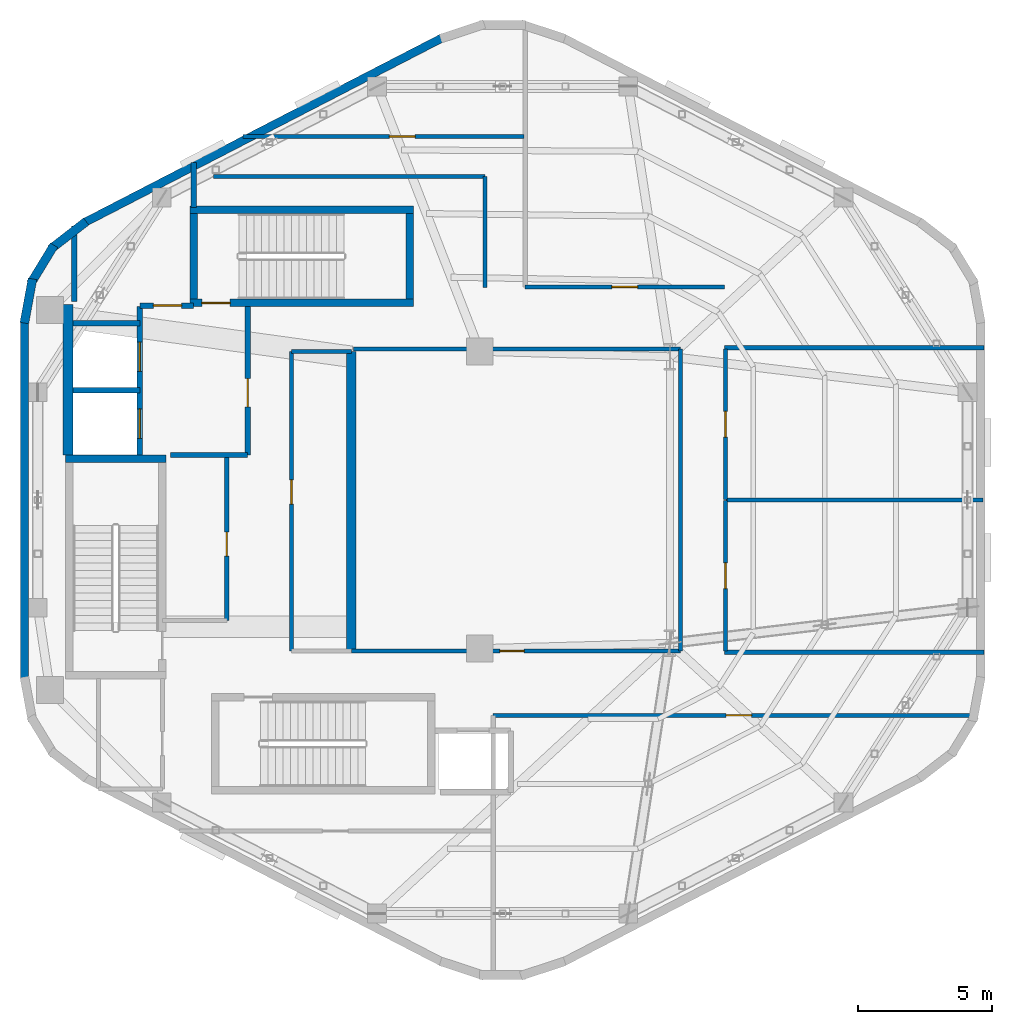
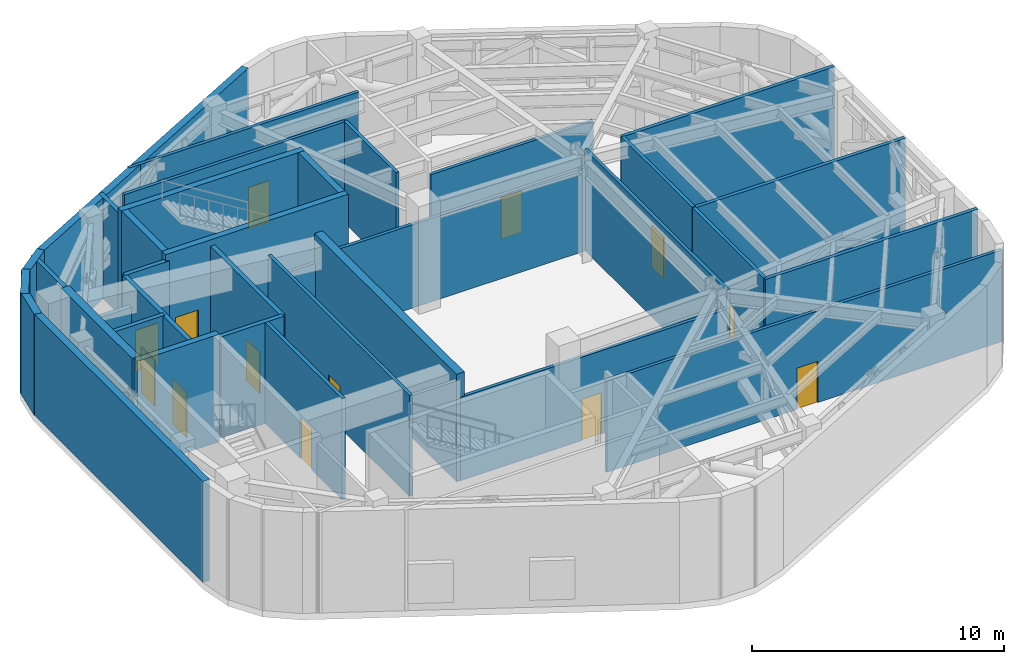
# One storey, part 6 of 8: 36 walls, 13 doors, 13 openings.
"""IFC4 building model written with IfcOpenShell, lengths in metres."""

import ifcopenshell
import ifcopenshell.guid

model = None  # the IFC model being written
_history = None  # IfcOwnerHistory: only IFC2X3 demands one
_inside = {}  # id of a spatial element -> (the spatial element, [elements in it])
_under = {}  # id of a project, library or spatial element -> (it, [spatial elements below it])
_declared = {}  # id of a project -> (the project, [libraries it declares])
_typed = {}  # id of a type object -> (the type object, [elements of that type])
_made_of = {}  # id of a material, layer set ... -> (it, [elements and type objects made of it])


def new_model(schema):
    """Start an empty IFC model of exactly this schema.

    Asked for "IFC4X3", IfcOpenShell would pick the latest addendum, in which some entities
    have other attributes; the version numbers below select the first issue.
    IFC2X3 requires an IfcOwnerHistory on every rooted entity: one is made here for all.
    """
    global model, _history
    if schema == "IFC4X3":
        model = ifcopenshell.file(schema_version=(4, 3, 0, 0))
    else:
        model = ifcopenshell.file(schema=schema)
    _inside.clear()
    _under.clear()
    _declared.clear()
    _typed.clear()
    _made_of.clear()
    _history = None
    if model.schema == "IFC2X3":
        org = make("IfcOrganization", Name="unknown")
        user = make(
            "IfcPersonAndOrganization",
            ThePerson=make("IfcPerson", FamilyName="unknown"),
            TheOrganization=org,
        )
        app = make(
            "IfcApplication",
            ApplicationDeveloper=org,
            Version="unknown",
            ApplicationFullName="unknown",
            ApplicationIdentifier="unknown",
        )
        _history = make(
            "IfcOwnerHistory",
            OwningUser=user,
            OwningApplication=app,
            ChangeAction="ADDED",
            CreationDate=0,
        )
    return model


def make(cls, **values):
    """One entity of the class cls with the attributes given. An attribute that is None is left unset."""
    return model.create_entity(
        cls, **{name: value for name, value in values.items() if value is not None}
    )


def rooted(cls, **values):
    """An entity with a GlobalId (a new one), such as an element, a storey or a relation."""
    return make(cls, GlobalId=ifcopenshell.guid.new(), OwnerHistory=_history, **values)


def si_unit(unit_type, name, prefix=None):
    """IfcSIUnit, for example si_unit("LENGTHUNIT", "METRE", prefix="MILLI")."""
    return make("IfcSIUnit", UnitType=unit_type, Prefix=prefix, Name=name)


def assignment(units):
    """IfcUnitAssignment: the units of a project."""
    return None if units is None else make("IfcUnitAssignment", Units=units)


def point(xyz):
    """IfcCartesianPoint."""
    return None if xyz is None else make("IfcCartesianPoint", Coordinates=xyz)


def direction(xyz):
    """IfcDirection."""
    return None if xyz is None else make("IfcDirection", DirectionRatios=xyz)


def frame(location, z_axis=None, x_axis=None):
    """IfcAxis2Placement3D, a coordinate frame: its origin and axes. An axis left out is left unset."""
    return make(
        "IfcAxis2Placement3D",
        Location=point(location),
        Axis=direction(z_axis),
        RefDirection=direction(x_axis),
    )


def frame_2d(location, x_axis=None):
    """IfcAxis2Placement2D, a coordinate frame in the plane: its origin and x axis."""
    return make(
        "IfcAxis2Placement2D", Location=point(location), RefDirection=direction(x_axis)
    )


def origin():
    """The frame at (0, 0, 0) with its axes left unset."""
    return frame((0.0, 0.0, 0.0))


def place(relative_to, where):
    """IfcLocalPlacement: puts the frame where relative to a parent placement (None: the world)."""
    return make(
        "IfcLocalPlacement", PlacementRelTo=relative_to, RelativePlacement=where
    )


def context(
    kind, dimensions, precision=None, world=None, true_north=None, identifier=None
):
    """IfcGeometricRepresentationContext, for example the 3D "Model" context."""
    return make(
        "IfcGeometricRepresentationContext",
        ContextIdentifier=identifier,
        ContextType=kind,
        CoordinateSpaceDimension=dimensions,
        Precision=precision,
        WorldCoordinateSystem=world,
        TrueNorth=true_north,
    )


def subcontext(parent, identifier, kind, view, scale=None):
    """IfcGeometricRepresentationSubContext, for example "Body" below "Model"."""
    return make(
        "IfcGeometricRepresentationSubContext",
        ContextIdentifier=identifier,
        ContextType=kind,
        ParentContext=parent,
        TargetScale=scale,
        TargetView=view,
    )


def project(units=None, contexts=None):
    """IfcProject with its units and contexts."""
    return rooted(
        "IfcProject",
        Name="project",
        RepresentationContexts=contexts,
        UnitsInContext=assignment(units),
    )


def spatial(cls, under=None, at=None, **own):
    """A site, building, storey or space (cls), placed at a placement, below another one or the project."""
    s = rooted(cls, ObjectPlacement=at, **own)
    if under is not None:
        _under.setdefault(under.id(), (under, []))[1].append(s)
    return s


def profile(cls, at=None, kind="AREA", **sizes):
    """A parametric profile (cls). Its sizes go by their IFC names, for example OverallWidth=200.0."""
    return make(cls, ProfileType=kind, Position=at, **sizes)


def rectangle(**sizes):
    """IfcRectangleProfileDef."""
    return profile("IfcRectangleProfileDef", **sizes)


def extrude(swept, where, along, depth):
    """IfcExtrudedAreaSolid: the profile swept, set in the frame where, extruded along a direction by depth."""
    return make(
        "IfcExtrudedAreaSolid",
        SweptArea=swept,
        Position=where,
        ExtrudedDirection=direction(along),
        Depth=depth,
    )


def shape(context_of_items, identifier, shape_type, items):
    """IfcShapeRepresentation: the items that make up one representation, for example the "Body"."""
    return make(
        "IfcShapeRepresentation",
        ContextOfItems=context_of_items,
        RepresentationIdentifier=identifier,
        RepresentationType=shape_type,
        Items=items,
    )


def material(Name=None, Category=None):
    """IfcMaterial."""
    return make("IfcMaterial", Name=Name, Category=Category)


def layer(
    of_material, thickness, ventilated=None, Name=None, Category=None, Priority=None
):
    """IfcMaterialLayer: one layer of a wall or slab, of a material (None: an air gap)."""
    return make(
        "IfcMaterialLayer",
        Material=of_material,
        LayerThickness=thickness,
        IsVentilated=ventilated,
        Name=Name,
        Category=Category,
        Priority=Priority,
    )


def layer_set(layers, Name=None):
    """IfcMaterialLayerSet."""
    return make("IfcMaterialLayerSet", MaterialLayers=layers, LayerSetName=Name)


def made_of(thing, what):
    """Note that an element or type object is made of a material, layer set ...; save() writes the relation."""
    if what is not None:
        _made_of.setdefault(what.id(), (what, []))[1].append(thing)
    return thing


def type_object(cls, material=None, **own):
    """A type object (cls), such as IfcWallType, which elements share."""
    return made_of(rooted(cls, **own), material)


def element(
    cls,
    number,
    at=None,
    inside=None,
    cuts=None,
    type_object=None,
    material=None,
    context=None,
    identifier="Body",
    shape_type=None,
    held_by="IfcProductDefinitionShape",
    body=None,
    shapes=None,
    **own,
):
    """One element of the class cls, such as IfcWall. Its Tag is "e" and its number.

    at: its placement. inside: the storey or other place that contains it. cuts: it is an
    opening in that element (IfcRelVoidsElement). A single representation is given by context,
    identifier, shape_type and body (its items); several are given by shapes. held_by: the class
    of the entity that holds the representations. save() writes the other relations.
    """
    e = rooted(cls, Tag="e%d" % number, ObjectPlacement=at, **own)
    if body is not None:
        shapes = [shape(context, identifier, shape_type, body)]
    if shapes is not None:
        e.Representation = make(held_by, Representations=shapes)
    if inside is not None:
        _inside.setdefault(inside.id(), (inside, []))[1].append(e)
    if cuts is not None:
        rooted(
            "IfcRelVoidsElement", RelatingBuildingElement=cuts, RelatedOpeningElement=e
        )
    if type_object is not None:
        _typed.setdefault(type_object.id(), (type_object, []))[1].append(e)
    return made_of(e, material)


def fill(opening, filler):
    """IfcRelFillsElement: the door or window that sits in an opening."""
    return rooted(
        "IfcRelFillsElement",
        RelatingOpeningElement=opening,
        RelatedBuildingElement=filler,
    )


def aggregate(whole, parts):
    """IfcRelAggregates: a whole, such as a stair, and the parts it consists of."""
    return rooted("IfcRelAggregates", RelatingObject=whole, RelatedObjects=parts)


def save(model, path):
    """Write the relations noted so far, then the file.

    IfcRelAggregates (storeys below a building ...), IfcRelContainedInSpatialStructure (elements
    in a storey), IfcRelDefinesByType, IfcRelAssociatesMaterial and IfcRelDeclares: one each for
    every whole, place, type object, material and project.
    """
    for whole, parts in _under.values():
        aggregate(whole, parts)
    for where, things in _inside.values():
        rooted(
            "IfcRelContainedInSpatialStructure",
            RelatedElements=things,
            RelatingStructure=where,
        )
    for kind, things in _typed.values():
        rooted("IfcRelDefinesByType", RelatedObjects=things, RelatingType=kind)
    for what, things in _made_of.values():
        rooted("IfcRelAssociatesMaterial", RelatedObjects=things, RelatingMaterial=what)
    for by, libraries in _declared.values():
        rooted("IfcRelDeclares", RelatingContext=by, RelatedDefinitions=libraries)
    model.write(path)


model = new_model("IFC4")

# Units and contexts
model_context = context("Model", 3, precision=1e-05, world=origin(), true_north=direction((0.0, 1.0)))
body_context = subcontext(model_context, "Body", "Model", "MODEL_VIEW")
ifc_project = project(units=[si_unit("LENGTHUNIT", "METRE"), si_unit("AREAUNIT", "SQUARE_METRE"), si_unit("VOLUMEUNIT", "CUBIC_METRE"), si_unit("PLANEANGLEUNIT", "RADIAN"), si_unit("MASSUNIT", "GRAM", prefix="KILO"), si_unit("THERMODYNAMICTEMPERATUREUNIT", "KELVIN"), si_unit("POWERUNIT", "WATT")], contexts=[model_context])

# Site, building, storey
site_placement = place(None, origin())
site = spatial("IfcSite", under=ifc_project, at=site_placement, CompositionType="ELEMENT")
building_placement = place(site_placement, origin())
building = spatial("IfcBuilding", under=site, at=building_placement, Name="Skarre Station Tower", CompositionType="ELEMENT")
storey_placement = place(building_placement, frame((0.0, 0.0, 279.89990234375)))
storey = spatial("IfcBuildingStorey", under=building, at=storey_placement, Name="L76", CompositionType="ELEMENT", Elevation=279.89990234375)

# Wall, opening, door
ifc_material_1 = material(Name="Acoustic Steel-Stud Gypsum Partition", Category="steel")
ifc_layer_1 = layer(ifc_material_1, 0.14990234375, Name="Acoustic Steel-Stud Gypsum Partition")
ifc_layer_set_1 = layer_set([ifc_layer_1], Name="Acoustic Steel-Stud Gypsum Partition")
wall_type_1 = type_object("IfcWallType", Name="Fire-Rated Corridor Acoustic Partition 150", PredefinedType="PARTITIONING", material=ifc_layer_set_1)
wall_1_placement = place(storey_placement, frame((22.89990234375, 19.5, 0.0), z_axis=(0.0, 0.0, 1.0), x_axis=(0.0, 1.0, 0.0)))
wall_1 = element("IfcWall", 1, at=wall_1_placement, inside=storey, type_object=wall_type_1, Name="L76 Interior Partition WL-PT-L76-B3-E", PredefinedType="PARTITIONING", context=body_context, shape_type="SweptSolid", body=[
    extrude(rectangle(XDim=6.10009765625, YDim=0.159912109375, at=frame_2d((3.050048828125, 0.0))), origin(), (0.0, 0.0, 1.0), 4.89013671875),
])
opening_1_placement = place(wall_1_placement, frame((2.39990234375, 0.0, 0.0)))
opening_1 = element("IfcOpeningElement", 2, at=opening_1_placement, cuts=wall_1, Name="Opening DR-SVC90", PredefinedType="OPENING", context=body_context, shape_type="SweptSolid", body=[
    extrude(rectangle(XDim=0.89990234375, YDim=2.0, at=frame_2d((0.449951171875, 1.0))), frame((0.0, 0.08984375, 0.0), z_axis=(0.0, -1.0, 0.0), x_axis=(1.0, 0.0, 0.0)), (0.0, 0.0, 1.0), 0.179931640625),
])
ifc_material_2 = material(Name="Powder-Coated Hollow-Metal Acoustic Fire Leaf", Category="steel")
door_type_1 = type_object("IfcDoorType", Name="Service & Riser Fire Door FD60 900x2100", OperationType="SINGLE_SWING_LEFT", PredefinedType="DOOR", material=ifc_material_2)
door_1_placement = place(opening_1_placement, origin())
door_1 = element("IfcDoor", 3, at=door_1_placement, inside=storey, type_object=door_type_1, Name="L76 Observatory Pantry Door", OperationType="SINGLE_SWING_RIGHT", OverallHeight=2.0, OverallWidth=0.89990234375, PredefinedType="DOOR", context=body_context, shape_type="SweptSolid", body=[
    extrude(rectangle(XDim=0.89990234375, YDim=2.0, at=frame_2d((0.449951171875, 1.0))), frame((0.0, 0.02490234375, 0.0), z_axis=(0.0, -1.0, 0.0), x_axis=(1.0, 0.0, 0.0)), (0.0, 0.0, 1.0), 0.050048828125),
])
fill(opening_1, door_1)

wall_2_placement = place(storey_placement, frame((25.320068359375, 29.550048828125, 0.0), z_axis=(0.0, 0.0, 1.0), x_axis=(0.0, -1.0, 0.0)))
wall_2 = element("IfcWall", 4, at=wall_2_placement, inside=storey, type_object=wall_type_1, Name="L76 Interior Partition WL-PT-L76-RC2-W1", PredefinedType="PARTITIONING", context=body_context, shape_type="SweptSolid", body=[
    extrude(rectangle(XDim=11.18994140625, YDim=0.14990234375, at=frame_2d((5.594970703125, 0.0))), origin(), (0.0, 0.0, 1.0), 4.89013671875),
])
opening_2_placement = place(wall_2_placement, frame((4.800048828125, 0.0, 0.0)))
opening_2 = element("IfcOpeningElement", 5, at=opening_2_placement, cuts=wall_2, Name="Opening DR-SVC90", PredefinedType="OPENING", context=body_context, shape_type="SweptSolid", body=[
    extrude(rectangle(XDim=0.89990234375, YDim=2.0, at=frame_2d((0.449951171875, 1.0))), frame((0.0, 0.0849609375, 0.0), z_axis=(0.0, -1.0, 0.0), x_axis=(1.0, 0.0, 0.0)), (0.0, 0.0, 1.0), 0.169921875),
])
door_2_placement = place(opening_2_placement, origin())
door_2 = element("IfcDoor", 6, at=door_2_placement, inside=storey, type_object=door_type_1, Name="L76 Wine Pantry Door", OperationType="SINGLE_SWING_LEFT", OverallHeight=2.0, OverallWidth=0.89990234375, PredefinedType="DOOR", context=body_context, shape_type="SweptSolid", body=[
    extrude(rectangle(XDim=0.89990234375, YDim=2.0, at=frame_2d((0.449951171875, 1.0))), frame((0.0, 0.02490234375, 0.0), z_axis=(0.0, -1.0, 0.0), x_axis=(1.0, 0.0, 0.0)), (0.0, 0.0, 1.0), 0.050048828125),
])
fill(opening_2, door_2)

# Wall
wall_3_placement = place(storey_placement, frame((27.550048828125, 29.550048828125, 0.0), z_axis=(0.0, 0.0, 1.0), x_axis=(-1.0, 0.0, 0.0)))
element("IfcWall", 7, at=wall_3_placement, inside=storey, type_object=wall_type_1, Name="L76 Interior Partition WL-PT-L76-RC2-N", PredefinedType="PARTITIONING", context=body_context, shape_type="SweptSolid", body=[
    extrude(rectangle(XDim=2.22998046875, YDim=0.14990234375, at=frame_2d((1.114990234375, 0.0))), origin(), (0.0, 0.0, 1.0), 3.7900390625),
])

# Wall, opening, door
wall_4_placement = place(storey_placement, frame((27.550048828125, 18.360107421875, 0.0), z_axis=(0.0, 0.0, 1.0), x_axis=(1.0, 0.0, 0.0)))
wall_4 = element("IfcWall", 8, at=wall_4_placement, inside=storey, type_object=wall_type_1, Name="L76 Interior Partition WL-PT-L76-ATRW-S", PredefinedType="PARTITIONING", context=body_context, shape_type="SweptSolid", body=[
    extrude(rectangle(XDim=12.2900390625, YDim=0.14990234375, at=frame_2d((6.14501953125, 0.0))), origin(), (0.0, 0.0, 1.0), 4.031005859375),
])
opening_3_placement = place(wall_4_placement, frame((5.550048828125, 0.0, 0.0)))
opening_3 = element("IfcOpeningElement", 9, at=opening_3_placement, cuts=wall_4, Name="Opening DR-SVC90", PredefinedType="OPENING", context=body_context, shape_type="SweptSolid", body=[
    extrude(rectangle(XDim=0.89990234375, YDim=2.0, at=frame_2d((0.449951171875, 1.0))), frame((0.0, 0.0849609375, 0.0), z_axis=(0.0, -1.0, 0.0), x_axis=(1.0, 0.0, 0.0)), (0.0, 0.0, 1.0), 0.169921875),
])
door_3_placement = place(opening_3_placement, origin())
door_3 = element("IfcDoor", 10, at=door_3_placement, inside=storey, type_object=door_type_1, Name="L76 Central Chiller Plant Door", OperationType="SINGLE_SWING_LEFT", OverallHeight=2.0, OverallWidth=0.89990234375, PredefinedType="DOOR", context=body_context, shape_type="SweptSolid", body=[
    extrude(rectangle(XDim=0.89990234375, YDim=2.0, at=frame_2d((0.449951171875, 1.0))), frame((0.0, 0.02490234375, 0.0), z_axis=(0.0, -1.0, 0.0), x_axis=(1.0, 0.0, 0.0)), (0.0, 0.0, 1.0), 0.050048828125),
])
fill(opening_3, door_3)

# Walls
wall_5_placement = place(storey_placement, frame((39.840087890625, 29.639892578125, 0.0), z_axis=(0.0, 0.0, 1.0), x_axis=(-1.0, 0.0, 0.0)))
element("IfcWall", 11, at=wall_5_placement, inside=storey, type_object=wall_type_1, Name="L76 Interior Partition WL-PT-L76-ATRW-N", PredefinedType="PARTITIONING", context=body_context, shape_type="SweptSolid", body=[
    extrude(rectangle(XDim=12.203125, YDim=0.14990234375, at=frame_2d((6.1015625, 0.0))), origin(), (0.0, 0.0, 1.0), 4.031005859375),
])
wall_6_placement = place(storey_placement, frame((39.840087890625, 18.360107421875, 0.0), z_axis=(0.0, 0.0, 1.0), x_axis=(0.0, 1.0, 0.0)))
element("IfcWall", 12, at=wall_6_placement, inside=storey, type_object=wall_type_1, Name="L76 Interior Partition WL-PT-L76-ATRW-E", PredefinedType="PARTITIONING", context=body_context, shape_type="SweptSolid", body=[
    extrude(rectangle(XDim=11.27978515625, YDim=0.14990234375, at=frame_2d((5.639892578125, 0.0))), origin(), (0.0, 0.0, 1.0), 4.89013671875),
])

# Wall, opening, door
wall_7_placement = place(storey_placement, frame((34.0, 37.580078125, 0.0), z_axis=(0.0, 0.0, 1.0), x_axis=(-1.0, 0.0, 0.0)))
wall_7 = element("IfcWall", 13, at=wall_7_placement, inside=storey, type_object=wall_type_1, Name="L76 Interior Partition WL-PT-L76-PLTNW1-CW", PredefinedType="PARTITIONING", context=body_context, shape_type="SweptSolid", body=[
    extrude(rectangle(XDim=10.5009765625, YDim=0.14990234375, at=frame_2d((5.25048828125, 0.0))), origin(), (0.0, 0.0, 1.0), 4.89013671875),
])
opening_4_placement = place(wall_7_placement, frame((4.070068359375, 0.0, 0.0)))
opening_4 = element("IfcOpeningElement", 14, at=opening_4_placement, cuts=wall_7, Name="Opening DR-FD60", PredefinedType="OPENING", context=body_context, shape_type="SweptSolid", body=[
    extrude(rectangle(XDim=0.9599609375, YDim=2.0, at=frame_2d((0.47998046875, 1.0))), frame((0.0, 0.0849609375, 0.0), z_axis=(0.0, -1.0, 0.0), x_axis=(1.0, 0.0, 0.0)), (0.0, 0.0, 1.0), 0.169921875),
])
ifc_material_3 = material(Name="Nordic White-Oak Veneer Solid-Core Fire Leaf", Category="wood")
door_type_2 = type_object("IfcDoorType", Name="Corridor Suite Entry Fire Door FD60 960x2150", OperationType="SINGLE_SWING_LEFT", PredefinedType="DOOR", material=ifc_material_3)
door_4_placement = place(opening_4_placement, origin())
door_4 = element("IfcDoor", 15, at=door_4_placement, inside=storey, type_object=door_type_2, Name="L76 PLTNW1 Entry Door", OperationType="SINGLE_SWING_LEFT", OverallHeight=2.0, OverallWidth=0.9599609375, PredefinedType="DOOR", context=body_context, shape_type="SweptSolid", body=[
    extrude(rectangle(XDim=0.9599609375, YDim=2.0, at=frame_2d((0.47998046875, 1.0))), frame((0.0, 0.02490234375, 0.0), z_axis=(0.0, -1.0, 0.0), x_axis=(1.0, 0.0, 0.0)), (0.0, 0.0, 1.0), 0.050048828125),
])
fill(opening_4, door_4)

wall_8_placement = place(storey_placement, frame((41.47998046875, 31.9599609375, 0.0), z_axis=(0.0, 0.0, 1.0), x_axis=(-1.0, 0.0, 0.0)))
wall_8 = element("IfcWall", 16, at=wall_8_placement, inside=storey, type_object=wall_type_1, Name="L76 Interior Partition WL-PT-L76-PLTN1-CW", PredefinedType="PARTITIONING", context=body_context, shape_type="SweptSolid", body=[
    extrude(rectangle(XDim=7.43994140625, YDim=0.14990234375, at=frame_2d((3.719970703125, 0.0))), origin(), (0.0, 0.0, 1.0), 4.281982421875),
])
opening_5_placement = place(wall_8_placement, frame((3.239990234375, 0.0, 0.0)))
opening_5 = element("IfcOpeningElement", 17, at=opening_5_placement, cuts=wall_8, Name="Opening DR-FD60", PredefinedType="OPENING", context=body_context, shape_type="SweptSolid", body=[
    extrude(rectangle(XDim=0.9599609375, YDim=2.0, at=frame_2d((0.47998046875, 1.0))), frame((0.0, 0.0849609375, 0.0), z_axis=(0.0, -1.0, 0.0), x_axis=(1.0, 0.0, 0.0)), (0.0, 0.0, 1.0), 0.169921875),
])
door_5_placement = place(opening_5_placement, origin())
door_5 = element("IfcDoor", 18, at=door_5_placement, inside=storey, type_object=door_type_2, Name="L76 PLTN1 Entry Door", OperationType="SINGLE_SWING_LEFT", OverallHeight=2.0, OverallWidth=0.9599609375, PredefinedType="DOOR", context=body_context, shape_type="SweptSolid", body=[
    extrude(rectangle(XDim=0.9599609375, YDim=2.0, at=frame_2d((0.47998046875, 1.0))), frame((0.0, 0.02490234375, 0.0), z_axis=(0.0, -1.0, 0.0), x_axis=(1.0, 0.0, 0.0)), (0.0, 0.0, 1.0), 0.050048828125),
])
fill(opening_5, door_5)

wall_9_placement = place(storey_placement, frame((41.52001953125, 18.360107421875, 0.0), z_axis=(0.0, 0.0, 1.0), x_axis=(0.0, 1.0, 0.0)))
wall_9 = element("IfcWall", 19, at=wall_9_placement, inside=storey, type_object=wall_type_1, Name="L76 Interior Partition WL-PT-L76-PLTE1-CW", PredefinedType="PARTITIONING", context=body_context, shape_type="SweptSolid", body=[
    extrude(rectangle(XDim=5.621826171875, YDim=0.14990234375, at=frame_2d((2.81103515625, 0.0))), origin(), (0.0, 0.0, 1.0), 4.89013671875),
])
opening_6_placement = place(wall_9_placement, frame((2.3310546875, 0.0, 0.0)))
opening_6 = element("IfcOpeningElement", 20, at=opening_6_placement, cuts=wall_9, Name="Opening DR-FD60", PredefinedType="OPENING", context=body_context, shape_type="SweptSolid", body=[
    extrude(rectangle(XDim=0.9599609375, YDim=2.0, at=frame_2d((0.47998046875, 1.0))), frame((0.0, 0.0849609375, 0.0), z_axis=(0.0, -1.0, 0.0), x_axis=(1.0, 0.0, 0.0)), (0.0, 0.0, 1.0), 0.169921875),
])
door_6_placement = place(opening_6_placement, origin())
door_6 = element("IfcDoor", 21, at=door_6_placement, inside=storey, type_object=door_type_2, Name="L76 PLTE1 Entry Door", OperationType="SINGLE_SWING_LEFT", OverallHeight=2.0, OverallWidth=0.9599609375, PredefinedType="DOOR", context=body_context, shape_type="SweptSolid", body=[
    extrude(rectangle(XDim=0.9599609375, YDim=2.0, at=frame_2d((0.47998046875, 1.0))), frame((0.0, 0.02490234375, 0.0), z_axis=(0.0, -1.0, 0.0), x_axis=(1.0, 0.0, 0.0)), (0.0, 0.0, 1.0), 0.050048828125),
])
fill(opening_6, door_6)

wall_10_placement = place(storey_placement, frame((41.52001953125, 24.01806640625, 0.0), z_axis=(0.0, 0.0, 1.0), x_axis=(0.0, 1.0, 0.0)))
wall_10 = element("IfcWall", 22, at=wall_10_placement, inside=storey, type_object=wall_type_1, Name="L76 Interior Partition WL-PT-L76-PLTE2-CW", PredefinedType="PARTITIONING", context=body_context, shape_type="SweptSolid", body=[
    extrude(rectangle(XDim=5.621826171875, YDim=0.14990234375, at=frame_2d((2.81103515625, 0.0))), origin(), (0.0, 0.0, 1.0), 4.89013671875),
])
opening_7_placement = place(wall_10_placement, frame((2.3310546875, 0.0, 0.0)))
opening_7 = element("IfcOpeningElement", 23, at=opening_7_placement, cuts=wall_10, Name="Opening DR-FD60", PredefinedType="OPENING", context=body_context, shape_type="SweptSolid", body=[
    extrude(rectangle(XDim=0.9599609375, YDim=2.0, at=frame_2d((0.47998046875, 1.0))), frame((0.0, 0.0849609375, 0.0), z_axis=(0.0, -1.0, 0.0), x_axis=(1.0, 0.0, 0.0)), (0.0, 0.0, 1.0), 0.169921875),
])
door_7_placement = place(opening_7_placement, origin())
door_7 = element("IfcDoor", 24, at=door_7_placement, inside=storey, type_object=door_type_2, Name="L76 PLTE2 Entry Door", OperationType="SINGLE_SWING_LEFT", OverallHeight=2.0, OverallWidth=0.9599609375, PredefinedType="DOOR", context=body_context, shape_type="SweptSolid", body=[
    extrude(rectangle(XDim=0.9599609375, YDim=2.0, at=frame_2d((0.47998046875, 1.0))), frame((0.0, 0.02490234375, 0.0), z_axis=(0.0, -1.0, 0.0), x_axis=(1.0, 0.0, 0.0)), (0.0, 0.0, 1.0), 0.050048828125),
])
fill(opening_7, door_7)

wall_11_placement = place(storey_placement, frame((32.85009765625, 15.9599609375, 0.0), z_axis=(0.0, 0.0, 1.0), x_axis=(1.0, 0.0, 0.0)))
wall_11 = element("IfcWall", 25, at=wall_11_placement, inside=storey, type_object=wall_type_1, Name="L76 Interior Partition WL-PT-L76-PLTS1-CW", PredefinedType="PARTITIONING", context=body_context, shape_type="SweptSolid", body=[
    extrude(rectangle(XDim=18.10693359375, YDim=0.14990234375, at=frame_2d((9.053466796875, 0.0))), origin(), (0.0, 0.0, 1.0), 4.43310546875),
])
opening_8_placement = place(wall_11_placement, frame((8.693115234375, 0.0, 0.0)))
opening_8 = element("IfcOpeningElement", 26, at=opening_8_placement, cuts=wall_11, Name="Opening DR-FD60", PredefinedType="OPENING", context=body_context, shape_type="SweptSolid", body=[
    extrude(rectangle(XDim=0.9599609375, YDim=2.0, at=frame_2d((0.47998046875, 1.0))), frame((0.0, 0.0849609375, 0.0), z_axis=(0.0, -1.0, 0.0), x_axis=(1.0, 0.0, 0.0)), (0.0, 0.0, 1.0), 0.169921875),
])
door_8_placement = place(opening_8_placement, origin())
door_8 = element("IfcDoor", 27, at=door_8_placement, inside=storey, type_object=door_type_2, Name="L76 PLTS1 Entry Door", OperationType="SINGLE_SWING_LEFT", OverallHeight=2.0, OverallWidth=0.9599609375, PredefinedType="DOOR", context=body_context, shape_type="SweptSolid", body=[
    extrude(rectangle(XDim=0.9599609375, YDim=2.0, at=frame_2d((0.47998046875, 1.0))), frame((0.0, 0.02490234375, 0.0), z_axis=(0.0, -1.0, 0.0), x_axis=(1.0, 0.0, 0.0)), (0.0, 0.0, 1.0), 0.050048828125),
])
fill(opening_8, door_8)

# Walls
wall_12_placement = place(storey_placement, frame((32.550048828125, 31.93994140625, 0.0), z_axis=(0.0, 0.0, 1.0), x_axis=(0.0, 1.0, 0.0)))
element("IfcWall", 28, at=wall_12_placement, inside=storey, type_object=wall_type_1, Name="L76 Interior Partition WL-PT-L76-CSEAL-1", PredefinedType="PARTITIONING", context=body_context, shape_type="SweptSolid", body=[
    extrude(rectangle(XDim=4.14013671875, YDim=0.14990234375, at=frame_2d((2.070068359375, 0.0))), origin(), (0.0, 0.0, 1.0), 4.89013671875),
])
wall_13_placement = place(storey_placement, frame((32.550048828125, 36.080078125, 0.0), z_axis=(0.0, 0.0, 1.0), x_axis=(-1.0, 0.0, 0.0)))
element("IfcWall", 29, at=wall_13_placement, inside=storey, type_object=wall_type_1, Name="L76 Interior Partition WL-PT-L76-CSEAL-2", PredefinedType="PARTITIONING", context=body_context, shape_type="SweptSolid", body=[
    extrude(rectangle(XDim=10.150146484375, YDim=0.14990234375, at=frame_2d((5.0751953125, 0.0))), origin(), (0.0, 0.0, 1.0), 4.89013671875),
])
ifc_material_4 = material(Name="Precast concrete C45/55", Category="concrete")
ifc_layer_2 = layer(ifc_material_4, 0.330078125, Name="Precast concrete C45/55")
ifc_layer_set_2 = layer_set([ifc_layer_2], Name="Precast concrete C45/55")
wall_type_2 = type_object("IfcWallType", Name="Nordic Rounded Corner Precast Wall 330", PredefinedType="STANDARD", material=ifc_layer_set_2)
wall_14_placement = place(storey_placement, frame((15.337890625, 30.60791015625, 0.0), z_axis=(0.0, 0.0, 1.0), x_axis=(0.180832605401, 0.983513888475, 0.0)))
element("IfcWall", 30, at=wall_14_placement, inside=storey, type_object=wall_type_2, Name="L76 Rounded Corner Precast Wall F2-1", PredefinedType="STANDARD", context=body_context, shape_type="SweptSolid", body=[
    extrude(rectangle(XDim=1.6767578125, YDim=0.330078125, at=frame_2d((0.83837890625, 0.0))), origin(), (0.0, 0.0, 1.0), 4.89013671875),
])
wall_15_placement = place(storey_placement, frame((15.573974609375, 32.08203125, 0.0), z_axis=(0.0, 0.0, 1.0), x_axis=(0.520325409202, 0.853968072318, 0.0)))
element("IfcWall", 31, at=wall_15_placement, inside=storey, type_object=wall_type_2, Name="L76 Rounded Corner Precast Wall F2-2", PredefinedType="STANDARD", context=body_context, shape_type="SweptSolid", body=[
    extrude(rectangle(XDim=1.677978515625, YDim=0.330078125, at=frame_2d((0.8388671875, 0.0))), origin(), (0.0, 0.0, 1.0), 4.89013671875),
])
wall_16_placement = place(storey_placement, frame((16.322021484375, 33.375, 0.0), z_axis=(0.0, 0.0, 1.0), x_axis=(0.790691856293, 0.61221433207, 0.0)))
element("IfcWall", 32, at=wall_16_placement, inside=storey, type_object=wall_type_2, Name="L76 Rounded Corner Precast Wall F2-3", PredefinedType="STANDARD", context=body_context, shape_type="SweptSolid", body=[
    extrude(rectangle(XDim=1.67578125, YDim=0.330078125, at=frame_2d((0.837890625, 0.0))), origin(), (0.0, 0.0, 1.0), 4.89013671875),
])
ifc_layer_3 = layer(ifc_material_4, 0.31005859375, Name="Precast concrete C45/55")
ifc_layer_set_3 = layer_set([ifc_layer_3], Name="Precast concrete C45/55")
wall_type_3 = type_object("IfcWallType", Name="Nordic Upper-Zone Precast Facet Wall 310", PredefinedType="STANDARD", material=ifc_layer_set_3)
wall_17_placement = place(storey_placement, frame((17.56591796875, 34.35400390625, 0.0), z_axis=(0.0, 0.0, 1.0), x_axis=(0.888581481622, 0.458718814218, 0.0)))
element("IfcWall", 33, at=wall_17_placement, inside=storey, type_object=wall_type_3, Name="L76 Facet 1 Nordic Precast Masonry Wall", PredefinedType="STANDARD", context=body_context, shape_type="SweptSolid", body=[
    extrude(rectangle(XDim=15.076904296875, YDim=0.31005859375, at=frame_2d((7.53857421875, 0.0))), origin(), (0.0, 0.0, 1.0), 4.89013671875),
])
wall_18_placement = place(storey_placement, frame((15.342041015625, 17.298095703125, 0.0), z_axis=(0.0, 0.0, 1.0), x_axis=(0.0, 1.0, 0.0)))
element("IfcWall", 34, at=wall_18_placement, inside=storey, type_object=wall_type_3, Name="L76 Facet 2 Nordic Precast Masonry Wall", PredefinedType="STANDARD", context=body_context, shape_type="SweptSolid", body=[
    extrude(rectangle(XDim=13.40380859375, YDim=0.31005859375, at=frame_2d((6.701904296875, 0.0))), origin(), (0.0, 0.0, 1.0), 4.89013671875),
])
ifc_material_5 = material(Name="Concrete C50/60", Category="concrete")
ifc_layer_4 = layer(ifc_material_5, 0.280029296875, Name="Concrete C50/60")
ifc_layer_set_4 = layer_set([ifc_layer_4], Name="Concrete C50/60")
wall_type_4 = type_object("IfcWallType", Name="RC Core Shear Wall 280", PredefinedType="SHEAR", material=ifc_layer_set_4)
wall_19_placement = place(storey_placement, frame((20.6298828125, 25.5400390625, 0.0), z_axis=(0.0, 0.0, 1.0), x_axis=(-1.0, 0.0, 0.0)))
element("IfcWall", 35, at=wall_19_placement, inside=storey, type_object=wall_type_4, Name="L76 Stair ST-1 North Shear Wall", PredefinedType="SHEAR", context=body_context, shape_type="SweptSolid", body=[
    extrude(rectangle(XDim=3.759765625, YDim=0.280029296875, at=frame_2d((1.8798828125, 0.0))), origin(), (0.0, 0.0, 1.0), 5.2001953125),
])

# Wall, opening, door
wall_20_placement = place(storey_placement, frame((21.52001953125, 31.360107421875, 0.0), z_axis=(0.0, 0.0, 1.0), x_axis=(1.0, 0.0, 0.0)))
wall_20 = element("IfcWall", 36, at=wall_20_placement, inside=storey, type_object=wall_type_4, Name="L76 Stair ST-3 South Shear Wall", PredefinedType="SHEAR", context=body_context, shape_type="SweptSolid", body=[
    extrude(rectangle(XDim=8.35986328125, YDim=0.280029296875, at=frame_2d((4.179931640625, 0.0))), origin(), (0.0, 0.0, 1.0), 5.2001953125),
])
opening_9_placement = place(wall_20_placement, frame((0.449951171875, 0.0, 0.0)))
opening_9 = element("IfcOpeningElement", 37, at=opening_9_placement, cuts=wall_20, Name="Opening DR-FD90", PredefinedType="OPENING", context=body_context, shape_type="SweptSolid", body=[
    extrude(rectangle(XDim=1.050048828125, YDim=2.0, at=frame_2d((0.52490234375, 1.0))), frame((0.0, 0.14990234375, 0.0), z_axis=(0.0, -1.0, 0.0), x_axis=(1.0, 0.0, 0.0)), (0.0, 0.0, 1.0), 0.300048828125),
])
ifc_material_6 = material(Name="Fire-Rated Insulated Steel Frame & Timber Core Leaf", Category="steel")
door_type_3 = type_object("IfcDoorType", Name="Stair & FSAE Lobby Fire Door FD90 1050x2150", OperationType="SINGLE_SWING_RIGHT", PredefinedType="DOOR", material=ifc_material_6)
door_9_placement = place(opening_9_placement, origin())
door_9 = element("IfcDoor", 38, at=door_9_placement, inside=storey, type_object=door_type_3, Name="L76 Stair ST-3 & FSAE Lobby Direct Exit Door", OperationType="SINGLE_SWING_LEFT", OverallHeight=2.0, OverallWidth=1.050048828125, PredefinedType="DOOR", context=body_context, shape_type="SweptSolid", body=[
    extrude(rectangle(XDim=1.050048828125, YDim=2.0, at=frame_2d((0.52490234375, 1.0))), frame((0.0, 0.02490234375, 0.0), z_axis=(0.0, -1.0, 0.0), x_axis=(1.0, 0.0, 0.0)), (0.0, 0.0, 1.0), 0.050048828125),
])
fill(opening_9, door_9)

# Walls
wall_21_placement = place(storey_placement, frame((29.8798828125, 34.840087890625, 0.0), z_axis=(0.0, 0.0, 1.0), x_axis=(-1.0, 0.0, 0.0)))
element("IfcWall", 39, at=wall_21_placement, inside=storey, type_object=wall_type_4, Name="L76 Stair ST-3 North Shear Wall", PredefinedType="SHEAR", context=body_context, shape_type="SweptSolid", body=[
    extrude(rectangle(XDim=8.35986328125, YDim=0.280029296875, at=frame_2d((4.179931640625, 0.0))), origin(), (0.0, 0.0, 1.0), 5.2001953125),
])
for number, where, z_axis, x_axis, name in (
    (40, (21.659912109375, 34.699951171875, 0.0), (0.0, 0.0, 1.0), (0.0, -1.0, 0.0), "L76 Stair ST-3 West Shear Wall"),
    (41, (29.739990234375, 31.5, 0.0), (0.0, 0.0, 1.0), (0.0, 1.0, 0.0), "L76 Stair ST-3 East Shear Wall"),
):
    element("IfcWall", number, at=place(storey_placement, frame(where, z_axis=z_axis, x_axis=x_axis)), inside=storey, type_object=wall_type_4, Name=name, PredefinedType="SHEAR", context=body_context, shape_type="SweptSolid", body=[
        extrude(rectangle(XDim=3.199951171875, YDim=0.280029296875, at=frame_2d((1.60009765625, 0.0))), origin(), (0.0, 0.0, 1.0), 5.2001953125),
    ])
ifc_layer_5 = layer(ifc_material_5, 0.360107421875, Name="Concrete C50/60")
ifc_layer_set_5 = layer_set([ifc_layer_5], Name="Concrete C50/60")
wall_type_5 = type_object("IfcWallType", Name="RC Core Shear Wall 360", PredefinedType="SHEAR", material=ifc_layer_set_5)
wall_22_placement = place(storey_placement, frame((16.969970703125, 25.679931640625, 0.0), z_axis=(0.0, 0.0, 1.0), x_axis=(0.0, 1.0, 0.0)))
element("IfcWall", 42, at=wall_22_placement, inside=storey, type_object=wall_type_5, Name="L76 Core West-North Shear Wall", PredefinedType="SHEAR", context=body_context, shape_type="SweptSolid", body=[
    extrude(rectangle(XDim=5.6201171875, YDim=0.360107421875, at=frame_2d((2.81005859375, 0.0))), origin(), (0.0, 0.0, 1.0), 5.2001953125),
])
wall_23_placement = place(storey_placement, frame((27.550048828125, 29.550048828125, 0.0), z_axis=(0.0, 0.0, 1.0), x_axis=(0.0, -1.0, 0.0)))
element("IfcWall", 43, at=wall_23_placement, inside=storey, type_object=wall_type_5, Name="L76 Core East Atrium Shear Wall", PredefinedType="SHEAR", context=body_context, shape_type="SweptSolid", body=[
    extrude(rectangle(XDim=11.25, YDim=0.360107421875, at=frame_2d((5.625, 0.0))), origin(), (0.0, 0.0, 1.0), 5.2001953125),
])

# Wall, openings, doors
ifc_material_7 = material(Name="Gypsum Concrete Shaft Assembly C30/37", Category="concrete")
ifc_layer_6 = layer(ifc_material_7, 0.199951171875, Name="Gypsum Concrete Shaft Assembly C30/37")
ifc_layer_set_6 = layer_set([ifc_layer_6], Name="Gypsum Concrete Shaft Assembly C30/37")
wall_type_6 = type_object("IfcWallType", Name="Shaft & Core Fire Partition 200", PredefinedType="PARTITIONING", material=ifc_layer_set_6)
wall_24_placement = place(storey_placement, frame((19.64990234375, 25.679931640625, 0.0), z_axis=(0.0, 0.0, 1.0), x_axis=(0.0, 1.0, 0.0)))
wall_24 = element("IfcWall", 44, at=wall_24_placement, inside=storey, type_object=wall_type_6, Name="L76 Interior Partition WL-PT-L76-FSAE-W", PredefinedType="PARTITIONING", context=body_context, shape_type="SweptSolid", body=[
    extrude(rectangle(XDim=5.5400390625, YDim=0.199951171875, at=frame_2d((2.77001953125, 0.0))), origin(), (0.0, 0.0, 1.0), 4.89013671875),
])
opening_10_placement = place(wall_24_placement, frame((0.6201171875, 0.0, 0.0)))
opening_10 = element("IfcOpeningElement", 45, at=opening_10_placement, cuts=wall_24, Name="Opening LD-FF1", PredefinedType="OPENING", context=body_context, shape_type="SweptSolid", body=[
    extrude(rectangle(XDim=1.10009765625, YDim=2.199951171875, at=frame_2d((0.550048828125, 1.10009765625))), frame((0.0, 0.10986328125, 0.0), z_axis=(0.0, -1.0, 0.0), x_axis=(1.0, 0.0, 0.0)), (0.0, 0.0, 1.0), 0.219970703125),
])
opening_11_placement = place(wall_24_placement, frame((3.1201171875, 0.0, 0.0)))
opening_11 = element("IfcOpeningElement", 46, at=opening_11_placement, cuts=wall_24, Name="Opening LD-FF2", PredefinedType="OPENING", context=body_context, shape_type="SweptSolid", body=[
    extrude(rectangle(XDim=1.10009765625, YDim=2.199951171875, at=frame_2d((0.550048828125, 1.10009765625))), frame((0.0, 0.10986328125, 0.0), z_axis=(0.0, -1.0, 0.0), x_axis=(1.0, 0.0, 0.0)), (0.0, 0.0, 1.0), 0.219970703125),
])
ifc_material_8 = material(Name="Fire-Rated Stainless Steel Grade 316L Sliding Leaves", Category="steel")
door_type_4 = type_object("IfcDoorType", Name="Fire Service Access Elevator Sliding Landing Door 1100x2200", OperationType="SLIDING_TO_LEFT", PredefinedType="DOOR", material=ifc_material_8)
door_10_placement = place(opening_10_placement, origin())
door_10 = element("IfcDoor", 47, at=door_10_placement, inside=storey, type_object=door_type_4, Name="L76 Firefighting Lift LF-FF1 Landing Door", OperationType="SLIDING_TO_LEFT", OverallHeight=2.199951171875, OverallWidth=1.10009765625, PredefinedType="DOOR", context=body_context, shape_type="SweptSolid", body=[
    extrude(rectangle(XDim=1.10009765625, YDim=2.199951171875, at=frame_2d((0.550048828125, 1.10009765625))), frame((0.0, 0.02490234375, 0.0), z_axis=(0.0, -1.0, 0.0), x_axis=(1.0, 0.0, 0.0)), (0.0, 0.0, 1.0), 0.050048828125),
])
fill(opening_10, door_10)
door_11_placement = place(opening_11_placement, origin())
door_11 = element("IfcDoor", 48, at=door_11_placement, inside=storey, type_object=door_type_4, Name="L76 Firefighting Lift LF-FF2 Landing Door", OperationType="SLIDING_TO_LEFT", OverallHeight=2.199951171875, OverallWidth=1.10009765625, PredefinedType="DOOR", context=body_context, shape_type="SweptSolid", body=[
    extrude(rectangle(XDim=1.10009765625, YDim=2.199951171875, at=frame_2d((0.550048828125, 1.10009765625))), frame((0.0, 0.02490234375, 0.0), z_axis=(0.0, -1.0, 0.0), x_axis=(1.0, 0.0, 0.0)), (0.0, 0.0, 1.0), 0.050048828125),
])
fill(opening_11, door_11)

# Wall
wall_25_placement = place(storey_placement, frame((20.79296875, 25.679931640625, 0.0), z_axis=(0.0, 0.0, 1.0), x_axis=(1.0, 0.0, 0.0)))
element("IfcWall", 49, at=wall_25_placement, inside=storey, type_object=wall_type_6, Name="L76 Interior Partition WL-PT-L76-FSAE-S", PredefinedType="PARTITIONING", context=body_context, shape_type="SweptSolid", body=[
    extrude(rectangle(XDim=2.886962890625, YDim=0.199951171875, at=frame_2d((1.443359375, 0.0))), origin(), (0.0, 0.0, 1.0), 4.89013671875),
])

# Wall, opening, door
wall_26_placement = place(storey_placement, frame((23.679931640625, 25.679931640625, 0.0), z_axis=(0.0, 0.0, 1.0), x_axis=(0.0, 1.0, 0.0)))
wall_26 = element("IfcWall", 50, at=wall_26_placement, inside=storey, type_object=wall_type_6, Name="L76 Interior Partition WL-PT-L76-FSAE-E", PredefinedType="PARTITIONING", context=body_context, shape_type="SweptSolid", body=[
    extrude(rectangle(XDim=5.5400390625, YDim=0.199951171875, at=frame_2d((2.77001953125, 0.0))), origin(), (0.0, 0.0, 1.0), 4.89013671875),
])
opening_12_placement = place(wall_26_placement, frame((1.800048828125, 0.0, 0.0)))
opening_12 = element("IfcOpeningElement", 51, at=opening_12_placement, cuts=wall_26, Name="Opening DR-FD90", PredefinedType="OPENING", context=body_context, shape_type="SweptSolid", body=[
    extrude(rectangle(XDim=1.050048828125, YDim=2.0, at=frame_2d((0.52490234375, 1.0))), frame((0.0, 0.10986328125, 0.0), z_axis=(0.0, -1.0, 0.0), x_axis=(1.0, 0.0, 0.0)), (0.0, 0.0, 1.0), 0.219970703125),
])
door_12_placement = place(opening_12_placement, origin())
door_12 = element("IfcDoor", 52, at=door_12_placement, inside=storey, type_object=door_type_3, Name="L76 FSAE Lobby Fire Door", OperationType="SINGLE_SWING_RIGHT", OverallHeight=2.0, OverallWidth=1.050048828125, PredefinedType="DOOR", context=body_context, shape_type="SweptSolid", body=[
    extrude(rectangle(XDim=1.050048828125, YDim=2.0, at=frame_2d((0.52490234375, 1.0))), frame((0.0, 0.02490234375, 0.0), z_axis=(0.0, -1.0, 0.0), x_axis=(1.0, 0.0, 0.0)), (0.0, 0.0, 1.0), 0.050048828125),
])
fill(opening_12, door_12)

wall_27_placement = place(storey_placement, frame((21.659912109375, 31.260009765625, 0.0), z_axis=(0.0, 0.0, 1.0), x_axis=(-1.0, 0.0, 0.0)))
wall_27 = element("IfcWall", 53, at=wall_27_placement, inside=storey, type_object=wall_type_6, Name="L76 Interior Partition WL-PT-L76-FSAE-N", PredefinedType="PARTITIONING", context=body_context, shape_type="SweptSolid", body=[
    extrude(rectangle(XDim=2.010009765625, YDim=0.199951171875, at=frame_2d((1.0048828125, 0.0))), origin(), (0.0, 0.0, 1.0), 4.89013671875),
])
opening_13_placement = place(wall_27_placement, frame((0.449951171875, 0.0, 0.0)))
opening_13 = element("IfcOpeningElement", 54, at=opening_13_placement, cuts=wall_27, Name="Opening DR-FD90", PredefinedType="OPENING", context=body_context, shape_type="SweptSolid", body=[
    extrude(rectangle(XDim=1.050048828125, YDim=2.0, at=frame_2d((0.52490234375, 1.0))), frame((0.0, 0.10986328125, 0.0), z_axis=(0.0, -1.0, 0.0), x_axis=(1.0, 0.0, 0.0)), (0.0, 0.0, 1.0), 0.219970703125),
])
door_13_placement = place(opening_13_placement, origin())
door_13 = element("IfcDoor", 55, at=door_13_placement, inside=storey, type_object=door_type_3, Name="L76 Area of Refuge Direct Stair Lobby Door", OperationType="SINGLE_SWING_LEFT", OverallHeight=2.0, OverallWidth=1.050048828125, PredefinedType="DOOR", context=body_context, shape_type="SweptSolid", body=[
    extrude(rectangle(XDim=1.050048828125, YDim=2.0, at=frame_2d((0.52490234375, 1.0))), frame((0.0, 0.02490234375, 0.0), z_axis=(0.0, -1.0, 0.0), x_axis=(1.0, 0.0, 0.0)), (0.0, 0.0, 1.0), 0.050048828125),
])
fill(opening_13, door_13)

# Walls
wall_28_placement = place(storey_placement, frame((17.14990234375, 28.10009765625, 0.0), z_axis=(0.0, 0.0, 1.0), x_axis=(1.0, 0.0, 0.0)))
element("IfcWall", 56, at=wall_28_placement, inside=storey, type_object=wall_type_6, Name="L76 Interior Partition WL-PT-L76-FF-DIV", PredefinedType="PARTITIONING", context=body_context, shape_type="SweptSolid", body=[
    extrude(rectangle(XDim=2.5, YDim=0.199951171875, at=frame_2d((1.25, 0.0))), origin(), (0.0, 0.0, 1.0), 4.89013671875),
])
wall_29_placement = place(storey_placement, frame((19.64990234375, 30.60009765625, 0.0), z_axis=(0.0, 0.0, 1.0), x_axis=(-1.0, 0.0, 0.0)))
element("IfcWall", 57, at=wall_29_placement, inside=storey, type_object=wall_type_6, Name="L76 Interior Partition WL-PT-L76-FF-N", PredefinedType="PARTITIONING", context=body_context, shape_type="SweptSolid", body=[
    extrude(rectangle(XDim=2.5, YDim=0.199951171875, at=frame_2d((1.25, 0.0))), origin(), (0.0, 0.0, 1.0), 3.7900390625),
])
wall_30_placement = place(storey_placement, frame((17.199951171875, 34.22607421875, 0.0), z_axis=(0.0, 0.0, 1.0), x_axis=(0.0, -1.0, 0.0)))
element("IfcWall", 58, at=wall_30_placement, inside=storey, type_object=wall_type_6, Name="L76 Interior Partition WL-PT-L76-REF-W", PredefinedType="PARTITIONING", context=body_context, shape_type="SweptSolid", body=[
    extrude(rectangle(XDim=2.817138671875, YDim=0.199951171875, at=frame_2d((1.40869140625, 0.0))), origin(), (0.0, 0.0, 1.0), 4.89013671875),
])
wall_31_placement = place(storey_placement, frame((21.659912109375, 34.9150390625, 0.0), z_axis=(0.0, 0.0, 1.0), x_axis=(0.0, 1.0, 0.0)))
element("IfcWall", 59, at=wall_31_placement, inside=storey, type_object=wall_type_6, Name="L76 Interior Partition WL-PT-L76-REF-E", PredefinedType="PARTITIONING", context=body_context, shape_type="SweptSolid", body=[
    extrude(rectangle(XDim=1.69287109375, YDim=0.199951171875, at=frame_2d((0.846435546875, 0.0))), origin(), (0.0, 0.0, 1.0), 4.89013671875),
])
ifc_layer_7 = layer(ifc_material_1, 0.1650390625, Name="Acoustic Steel-Stud Gypsum Partition")
ifc_layer_set_7 = layer_set([ifc_layer_7], Name="Acoustic Steel-Stud Gypsum Partition")
wall_type_7 = type_object("IfcWallType", Name="Suite Demising Acoustic Partition 165", PredefinedType="PARTITIONING", material=ifc_layer_set_7)
for number, where, z_axis, x_axis, name in (
    (60, (41.47998046875, 18.320068359375, 0.0), (0.0, 0.0, 1.0), (1.0, 0.0, 0.0), "L76 Interior Partition WL-PT-L76-PLTE-S"),
    (61, (41.47998046875, 29.679931640625, 0.0), (0.0, 0.0, 1.0), (1.0, 0.0, 0.0), "L76 Interior Partition WL-PT-L76-PLTE-N"),
):
    element("IfcWall", number, at=place(storey_placement, frame(where, z_axis=z_axis, x_axis=x_axis)), inside=storey, type_object=wall_type_7, Name=name, PredefinedType="PARTITIONING", context=body_context, shape_type="SweptSolid", body=[
        extrude(rectangle(XDim=9.703125, YDim=0.1650390625, at=frame_2d((4.8515625, 0.0))), origin(), (0.0, 0.0, 1.0), 4.89013671875),
    ])
wall_32_placement = place(storey_placement, frame((41.550048828125, 24.0, 0.0), z_axis=(0.0, 0.0, 1.0), x_axis=(1.0, 0.0, 0.0)))
element("IfcWall", 62, at=wall_32_placement, inside=storey, type_object=wall_type_7, Name="L76 Interior Partition WL-PT-L76-PLTE-P1", PredefinedType="PARTITIONING", context=body_context, shape_type="SweptSolid", body=[
    extrude(rectangle(XDim=9.593017578125, YDim=0.1650390625, at=frame_2d((4.79638671875, 0.0))), origin(), (0.0, 0.0, 1.0), 4.89013671875),
])

save(model, "model.ifc")
